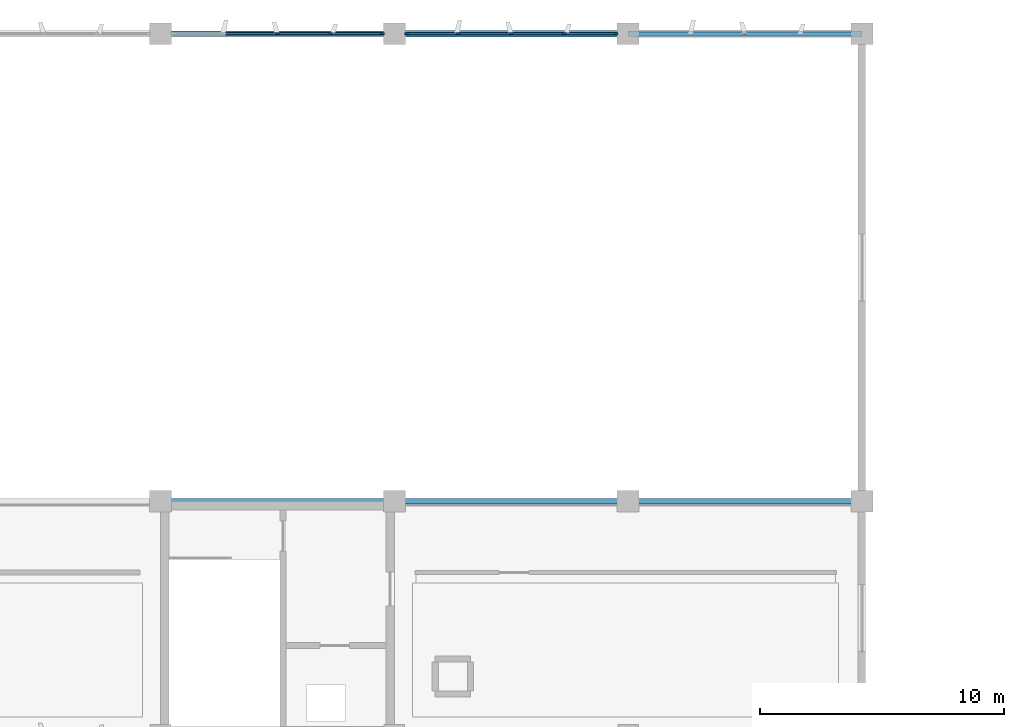
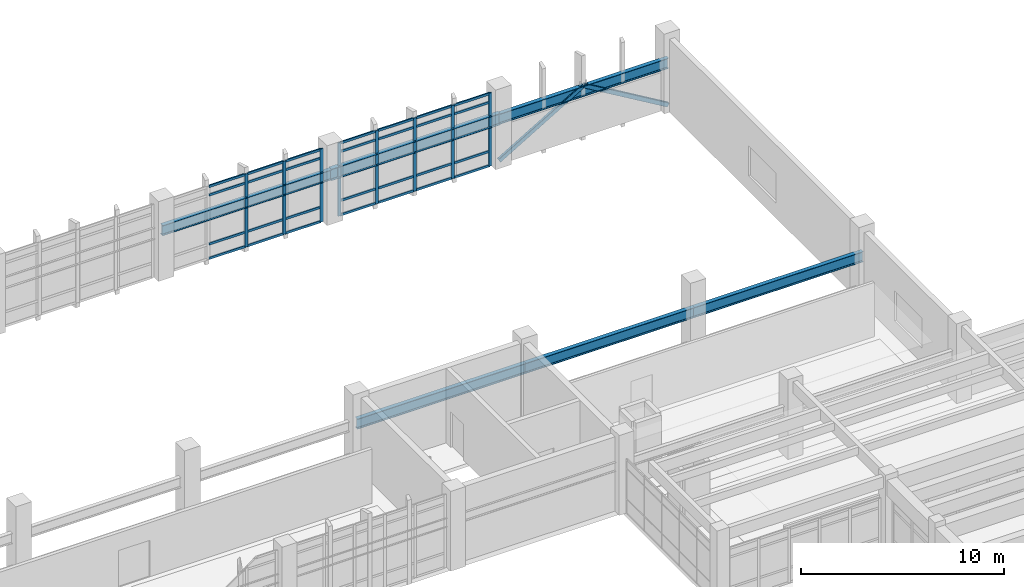
# One storey, part 44 of 86: 38 members, 6 beams, 2 elements without a shape of their own.
"""IFC4 building model written with IfcOpenShell, lengths in metres."""

from ifc_helpers import new_model, si_unit, direction, frame, origin, origin_2d, place, context, subcontext, project, spatial, rectangle, hollow_rectangle, i_section, extrude, material, layer, layer_set, material_profile, profile_set, type_object, element, aggregate, save


model = new_model("IFC4")

# Units and contexts
model_context = context("Model", 3, precision=1e-05, world=origin(), true_north=direction((0.0, 1.0)))
body_context = subcontext(model_context, "Body", "Model", "MODEL_VIEW")
ifc_project = project(units=[si_unit("LENGTHUNIT", "METRE"), si_unit("AREAUNIT", "SQUARE_METRE"), si_unit("VOLUMEUNIT", "CUBIC_METRE"), si_unit("PLANEANGLEUNIT", "RADIAN"), si_unit("MASSUNIT", "GRAM", prefix="KILO")], contexts=[model_context])

# Site, building, storey
site_placement = place(None, origin())
site = spatial("IfcSite", under=ifc_project, at=site_placement, CompositionType="ELEMENT")
building_placement = place(site_placement, origin())
building = spatial("IfcBuilding", under=site, at=building_placement, Name="Kolvemor Railside Polytechnic", CompositionType="ELEMENT")
storey_placement = place(building_placement, frame((0.0, 0.0, 5.39990234375)))
storey = spatial("IfcBuildingStorey", under=building, at=storey_placement, Name="L01", CompositionType="ELEMENT", Elevation=5.39990234375)

# Beams
ifc_material_1 = material(Name="Steel S355", Category="steel")
ifc_material_profile_1 = material_profile(ifc_material_1, i_section(OverallWidth=0.256103515625, OverallDepth=0.693115234375, WebThickness=0.014404296875, FlangeThickness=0.023681640625, FilletRadius=0.01611328125, at=origin_2d()), Name="W690x170")
ifc_profile_set_1 = profile_set([ifc_material_profile_1], Name="Steel S355")
beam_type_1 = type_object("IfcBeamType", Name="BM-ST-CRANE0", PredefinedType="BEAM", material=ifc_profile_set_1)
beam_placement = place(storey_placement, frame((134.39990234375, 120.0, 2.691650390625), z_axis=(1.0, 0.0, 0.0), x_axis=(0.0, 1.0, 0.0)))
element("IfcBeam", 1, at=beam_placement, inside=storey, type_object=beam_type_1, Name="Crane Runway Girder CRG-N13", PredefinedType="BEAM", context=body_context, shape_type="SweptSolid", body=[
    extrude(i_section(OverallWidth=0.256103515625, OverallDepth=0.693115234375, WebThickness=0.014404296875, FlangeThickness=0.023681640625, FilletRadius=0.01611328125, at=origin_2d()), origin(), (0.0, 0.0, 1.0), 9.60009765625),
])
ifc_material_2 = material(Name="Steel S355", Category="steel")
ifc_material_profile_2 = material_profile(ifc_material_2, i_section(OverallWidth=0.22998046875, OverallDepth=0.616943359375, WebThickness=0.01318359375, FlangeThickness=0.022216796875, FilletRadius=0.01611328125, at=origin_2d()), Name="W610x140")
ifc_profile_set_2 = profile_set([ifc_material_profile_2], Name="Steel S355")
beam_type_2 = type_object("IfcBeamType", Name="BM-ST-CRANE1", PredefinedType="BEAM", material=ifc_profile_set_2)
for number, where, z_axis, x_axis, name in (
    (2, (124.800048828125, 100.800048828125, 2.691650390625), (1.0, 0.0, 0.0), (0.0, 1.0, 0.0), "Crane Runway Girder CRG-S12"),
    (3, (124.800048828125, 120.0, 2.691650390625), (1.0, 0.0, 0.0), (0.0, 1.0, 0.0), "Crane Runway Girder CRG-N12"),
):
    element("IfcBeam", number, at=place(storey_placement, frame(where, z_axis=z_axis, x_axis=x_axis)), inside=storey, type_object=beam_type_2, Name=name, PredefinedType="BEAM", context=body_context, shape_type="SweptSolid", body=[
        extrude(i_section(OverallWidth=0.22998046875, OverallDepth=0.616943359375, WebThickness=0.01318359375, FlangeThickness=0.022216796875, FilletRadius=0.01611328125, at=origin_2d()), origin(), (0.0, 0.0, 1.0), 9.599853515625),
    ])
for number, where, z_axis, x_axis, name in (
    (4, (134.39990234375, 100.800048828125, 2.691650390625), (1.0, 0.0, 0.0), (0.0, 1.0, 0.0), "Crane Runway Girder CRG-S13"),
    (5, (144.0, 100.800048828125, 2.691650390625), (1.0, 0.0, 0.0), (0.0, 1.0, 0.0), "Crane Runway Girder CRG-S14"),
    (6, (144.0, 120.0, 2.691650390625), (1.0, 0.0, 0.0), (0.0, 1.0, 0.0), "Crane Runway Girder CRG-N14"),
):
    element("IfcBeam", number, at=place(storey_placement, frame(where, z_axis=z_axis, x_axis=x_axis)), inside=storey, type_object=beam_type_2, Name=name, PredefinedType="BEAM", context=body_context, shape_type="SweptSolid", body=[
        extrude(i_section(OverallWidth=0.22998046875, OverallDepth=0.616943359375, WebThickness=0.01318359375, FlangeThickness=0.022216796875, FilletRadius=0.01611328125, at=origin_2d()), origin(), (0.0, 0.0, 1.0), 9.60009765625),
    ])

# Curtain wall, members
ifc_material_3 = material(Name="Anodised marine aluminium and laminated low-E glass", Category="aluminium")
ifc_layer = layer(ifc_material_3, 0.179931640625, Name="CW-UNIT-WKS")
ifc_layer_set = layer_set([ifc_layer], Name="Anodised marine aluminium and laminated low-E glass")
curtain_wall_type = type_object("IfcCurtainWallType", Name="CW-UNIT-WKS", PredefinedType="USERDEFINED", material=ifc_layer_set)
curtain_wall_1_placement = place(storey_placement, origin())
curtain_wall_1 = element("IfcCurtainWall", 7, at=curtain_wall_1_placement, inside=storey, type_object=curtain_wall_type, Name="Curtain Wall L01-025", ObjectType="UNITISED CURTAIN WALL", PredefinedType="USERDEFINED")
ifc_material_4 = material(Name="Anodised marine aluminium 6063-T6", Category="aluminium")
ifc_material_profile_3 = material_profile(ifc_material_4, rectangle(XDim=0.074951171875, YDim=0.179931640625, at=origin_2d()), Name="CW-MUL-75x180")
ifc_profile_set_3 = profile_set([ifc_material_profile_3], Name="Anodised marine aluminium 6063-T6")
member_type_1 = type_object("IfcMemberType", Name="CWM-75x180", PredefinedType="MULLION", material=ifc_profile_set_3)
member_1_placement = place(storey_placement, frame((133.892578125, 120.0, 0.0), z_axis=(0.0, 0.0, 1.0), x_axis=(0.0, -1.0, 0.0)))
member_1 = element("IfcMember", 8, at=member_1_placement, type_object=member_type_1, Name="CW-WKS mullion 1", PredefinedType="MULLION", context=body_context, shape_type="SweptSolid", body=[
    extrude(rectangle(XDim=0.074951171875, YDim=0.179931640625, at=origin_2d()), origin(), (0.0, 0.0, 1.0), 4.400146484375),
])
member_2_placement = place(storey_placement, frame((131.764892578125, 120.0, 0.0), z_axis=(0.0, 0.0, 1.0), x_axis=(0.0, -1.0, 0.0)))
member_2 = element("IfcMember", 9, at=member_2_placement, type_object=member_type_1, Name="CW-WKS mullion 2", PredefinedType="MULLION", context=body_context, shape_type="SweptSolid", body=[
    extrude(rectangle(XDim=0.074951171875, YDim=0.179931640625, at=origin_2d()), origin(), (0.0, 0.0, 1.0), 4.400146484375),
])
member_3_placement = place(storey_placement, frame((129.60009765625, 120.0, 0.0), z_axis=(0.0, 0.0, 1.0), x_axis=(0.0, -1.0, 0.0)))
member_3 = element("IfcMember", 10, at=member_3_placement, type_object=member_type_1, Name="CW-WKS mullion 3", PredefinedType="MULLION", context=body_context, shape_type="SweptSolid", body=[
    extrude(rectangle(XDim=0.074951171875, YDim=0.179931640625, at=origin_2d()), origin(), (0.0, 0.0, 1.0), 4.400146484375),
])

curtain_wall_2_placement = place(storey_placement, origin())
curtain_wall_2 = element("IfcCurtainWall", 11, at=curtain_wall_2_placement, inside=storey, type_object=curtain_wall_type, Name="Curtain Wall L01-027", ObjectType="UNITISED CURTAIN WALL", PredefinedType="USERDEFINED")
member_4_placement = place(storey_placement, frame((143.492431640625, 120.0, 0.0), z_axis=(0.0, 0.0, 1.0), x_axis=(0.0, -1.0, 0.0)))
member_4 = element("IfcMember", 12, at=member_4_placement, type_object=member_type_1, Name="CW-WKS mullion 1", PredefinedType="MULLION", context=body_context, shape_type="SweptSolid", body=[
    extrude(rectangle(XDim=0.074951171875, YDim=0.179931640625, at=origin_2d()), origin(), (0.0, 0.0, 1.0), 4.400146484375),
])
member_5_placement = place(storey_placement, frame((141.364990234375, 120.0, 0.0), z_axis=(0.0, 0.0, 1.0), x_axis=(0.0, -1.0, 0.0)))
member_5 = element("IfcMember", 13, at=member_5_placement, type_object=member_type_1, Name="CW-WKS mullion 2", PredefinedType="MULLION", context=body_context, shape_type="SweptSolid", body=[
    extrude(rectangle(XDim=0.074951171875, YDim=0.179931640625, at=origin_2d()), origin(), (0.0, 0.0, 1.0), 4.400146484375),
])
member_6_placement = place(storey_placement, frame((139.199951171875, 120.0, 0.0), z_axis=(0.0, 0.0, 1.0), x_axis=(0.0, -1.0, 0.0)))
member_6 = element("IfcMember", 14, at=member_6_placement, type_object=member_type_1, Name="CW-WKS mullion 3", PredefinedType="MULLION", context=body_context, shape_type="SweptSolid", body=[
    extrude(rectangle(XDim=0.074951171875, YDim=0.179931640625, at=origin_2d()), origin(), (0.0, 0.0, 1.0), 4.400146484375),
])
member_7_placement = place(storey_placement, frame((137.034912109375, 120.0, 0.0), z_axis=(0.0, 0.0, 1.0), x_axis=(0.0, -1.0, 0.0)))
member_7 = element("IfcMember", 15, at=member_7_placement, type_object=member_type_1, Name="CW-WKS mullion 4", PredefinedType="MULLION", context=body_context, shape_type="SweptSolid", body=[
    extrude(rectangle(XDim=0.074951171875, YDim=0.179931640625, at=origin_2d()), origin(), (0.0, 0.0, 1.0), 4.400146484375),
])
member_8_placement = place(storey_placement, frame((134.907470703125, 120.0, 0.0), z_axis=(0.0, 0.0, 1.0), x_axis=(0.0, -1.0, 0.0)))
member_8 = element("IfcMember", 16, at=member_8_placement, type_object=member_type_1, Name="CW-WKS mullion 5", PredefinedType="MULLION", context=body_context, shape_type="SweptSolid", body=[
    extrude(rectangle(XDim=0.074951171875, YDim=0.179931640625, at=origin_2d()), origin(), (0.0, 0.0, 1.0), 4.400146484375),
])

# Member
ifc_material_5 = material(Name="Anodised marine aluminium 6063-T6", Category="aluminium")
ifc_material_profile_4 = material_profile(ifc_material_5, rectangle(XDim=0.074951171875, YDim=0.139892578125, at=origin_2d()), Name="CW-TRN-75x140")
ifc_profile_set_4 = profile_set([ifc_material_profile_4], Name="Anodised marine aluminium 6063-T6")
member_type_2 = type_object("IfcMemberType", Name="CWT-75x140", PredefinedType="USERDEFINED", material=ifc_profile_set_4)
member_9_placement = place(storey_placement, frame((133.85498046875, 120.0, 0.03759765625), z_axis=(-1.0, 0.0, 0.0), x_axis=(0.0, -1.0, 0.0)))
member_9 = element("IfcMember", 17, at=member_9_placement, type_object=member_type_2, Name="CW-WKS transom 1.1", ObjectType="TRANSOM", PredefinedType="USERDEFINED", context=body_context, shape_type="SweptSolid", body=[
    extrude(rectangle(XDim=0.074951171875, YDim=0.139892578125, at=origin_2d()), origin(), (0.0, 0.0, 1.0), 2.052490234375),
])

member_10_placement = place(storey_placement, frame((133.85498046875, 120.0, 0.900146484375), z_axis=(-1.0, 0.0, 0.0), x_axis=(0.0, -1.0, 0.0)))
member_10 = element("IfcMember", 18, at=member_10_placement, type_object=member_type_2, Name="CW-WKS transom 1.2", ObjectType="TRANSOM", PredefinedType="USERDEFINED", context=body_context, shape_type="SweptSolid", body=[
    extrude(rectangle(XDim=0.074951171875, YDim=0.139892578125, at=origin_2d()), origin(), (0.0, 0.0, 1.0), 2.052490234375),
])

member_11_placement = place(storey_placement, frame((133.85498046875, 120.0, 3.85009765625), z_axis=(-1.0, 0.0, 0.0), x_axis=(0.0, -1.0, 0.0)))
member_11 = element("IfcMember", 19, at=member_11_placement, type_object=member_type_2, Name="CW-WKS transom 1.3", ObjectType="TRANSOM", PredefinedType="USERDEFINED", context=body_context, shape_type="SweptSolid", body=[
    extrude(rectangle(XDim=0.074951171875, YDim=0.139892578125, at=origin_2d()), origin(), (0.0, 0.0, 1.0), 2.052490234375),
])

member_12_placement = place(storey_placement, frame((133.85498046875, 120.0, 4.362548828125), z_axis=(-1.0, 0.0, 0.0), x_axis=(0.0, -1.0, 0.0)))
member_12 = element("IfcMember", 20, at=member_12_placement, type_object=member_type_2, Name="CW-WKS transom 1.4", ObjectType="TRANSOM", PredefinedType="USERDEFINED", context=body_context, shape_type="SweptSolid", body=[
    extrude(rectangle(XDim=0.074951171875, YDim=0.139892578125, at=origin_2d()), origin(), (0.0, 0.0, 1.0), 2.052490234375),
])

member_13_placement = place(storey_placement, frame((131.7275390625, 120.0, 0.03759765625), z_axis=(-1.0, 0.0, 0.0), x_axis=(0.0, -1.0, 0.0)))
member_13 = element("IfcMember", 21, at=member_13_placement, type_object=member_type_2, Name="CW-WKS transom 2.1", ObjectType="TRANSOM", PredefinedType="USERDEFINED", context=body_context, shape_type="SweptSolid", body=[
    extrude(rectangle(XDim=0.074951171875, YDim=0.139892578125, at=origin_2d()), origin(), (0.0, 0.0, 1.0), 2.090087890625),
])

member_14_placement = place(storey_placement, frame((131.7275390625, 120.0, 0.900146484375), z_axis=(-1.0, 0.0, 0.0), x_axis=(0.0, -1.0, 0.0)))
member_14 = element("IfcMember", 22, at=member_14_placement, type_object=member_type_2, Name="CW-WKS transom 2.2", ObjectType="TRANSOM", PredefinedType="USERDEFINED", context=body_context, shape_type="SweptSolid", body=[
    extrude(rectangle(XDim=0.074951171875, YDim=0.139892578125, at=origin_2d()), origin(), (0.0, 0.0, 1.0), 2.090087890625),
])

member_15_placement = place(storey_placement, frame((131.7275390625, 120.0, 3.85009765625), z_axis=(-1.0, 0.0, 0.0), x_axis=(0.0, -1.0, 0.0)))
member_15 = element("IfcMember", 23, at=member_15_placement, type_object=member_type_2, Name="CW-WKS transom 2.3", ObjectType="TRANSOM", PredefinedType="USERDEFINED", context=body_context, shape_type="SweptSolid", body=[
    extrude(rectangle(XDim=0.074951171875, YDim=0.139892578125, at=origin_2d()), origin(), (0.0, 0.0, 1.0), 2.090087890625),
])

member_16_placement = place(storey_placement, frame((131.7275390625, 120.0, 4.362548828125), z_axis=(-1.0, 0.0, 0.0), x_axis=(0.0, -1.0, 0.0)))
member_16 = element("IfcMember", 24, at=member_16_placement, type_object=member_type_2, Name="CW-WKS transom 2.4", ObjectType="TRANSOM", PredefinedType="USERDEFINED", context=body_context, shape_type="SweptSolid", body=[
    extrude(rectangle(XDim=0.074951171875, YDim=0.139892578125, at=origin_2d()), origin(), (0.0, 0.0, 1.0), 2.090087890625),
])

member_17_placement = place(storey_placement, frame((129.5625, 120.0, 0.03759765625), z_axis=(-1.0, 0.0, 0.0), x_axis=(0.0, -1.0, 0.0)))
member_17 = element("IfcMember", 25, at=member_17_placement, type_object=member_type_2, Name="CW-WKS transom 3.1", ObjectType="TRANSOM", PredefinedType="USERDEFINED", context=body_context, shape_type="SweptSolid", body=[
    extrude(rectangle(XDim=0.074951171875, YDim=0.139892578125, at=origin_2d()), origin(), (0.0, 0.0, 1.0), 2.090087890625),
])

member_18_placement = place(storey_placement, frame((129.5625, 120.0, 0.900146484375), z_axis=(-1.0, 0.0, 0.0), x_axis=(0.0, -1.0, 0.0)))
member_18 = element("IfcMember", 26, at=member_18_placement, type_object=member_type_2, Name="CW-WKS transom 3.2", ObjectType="TRANSOM", PredefinedType="USERDEFINED", context=body_context, shape_type="SweptSolid", body=[
    extrude(rectangle(XDim=0.074951171875, YDim=0.139892578125, at=origin_2d()), origin(), (0.0, 0.0, 1.0), 2.090087890625),
])

member_19_placement = place(storey_placement, frame((129.5625, 120.0, 3.85009765625), z_axis=(-1.0, 0.0, 0.0), x_axis=(0.0, -1.0, 0.0)))
member_19 = element("IfcMember", 27, at=member_19_placement, type_object=member_type_2, Name="CW-WKS transom 3.3", ObjectType="TRANSOM", PredefinedType="USERDEFINED", context=body_context, shape_type="SweptSolid", body=[
    extrude(rectangle(XDim=0.074951171875, YDim=0.139892578125, at=origin_2d()), origin(), (0.0, 0.0, 1.0), 2.090087890625),
])

member_20_placement = place(storey_placement, frame((129.5625, 120.0, 4.362548828125), z_axis=(-1.0, 0.0, 0.0), x_axis=(0.0, -1.0, 0.0)))
member_20 = element("IfcMember", 28, at=member_20_placement, type_object=member_type_2, Name="CW-WKS transom 3.4", ObjectType="TRANSOM", PredefinedType="USERDEFINED", context=body_context, shape_type="SweptSolid", body=[
    extrude(rectangle(XDim=0.074951171875, YDim=0.139892578125, at=origin_2d()), origin(), (0.0, 0.0, 1.0), 2.090087890625),
])

aggregate(curtain_wall_1, [member_1, member_2, member_3, member_9, member_10, member_11, member_12, member_13, member_14, member_15, member_16, member_17, member_18, member_19, member_20])

member_21_placement = place(storey_placement, frame((143.455078125, 120.0, 0.03759765625), z_axis=(-1.0, 0.0, 0.0), x_axis=(0.0, -1.0, 0.0)))
member_21 = element("IfcMember", 29, at=member_21_placement, type_object=member_type_2, Name="CW-WKS transom 1.1", ObjectType="TRANSOM", PredefinedType="USERDEFINED", context=body_context, shape_type="SweptSolid", body=[
    extrude(rectangle(XDim=0.074951171875, YDim=0.139892578125, at=origin_2d()), origin(), (0.0, 0.0, 1.0), 2.052490234375),
])

member_22_placement = place(storey_placement, frame((143.455078125, 120.0, 0.900146484375), z_axis=(-1.0, 0.0, 0.0), x_axis=(0.0, -1.0, 0.0)))
member_22 = element("IfcMember", 30, at=member_22_placement, type_object=member_type_2, Name="CW-WKS transom 1.2", ObjectType="TRANSOM", PredefinedType="USERDEFINED", context=body_context, shape_type="SweptSolid", body=[
    extrude(rectangle(XDim=0.074951171875, YDim=0.139892578125, at=origin_2d()), origin(), (0.0, 0.0, 1.0), 2.052490234375),
])

member_23_placement = place(storey_placement, frame((143.455078125, 120.0, 3.85009765625), z_axis=(-1.0, 0.0, 0.0), x_axis=(0.0, -1.0, 0.0)))
member_23 = element("IfcMember", 31, at=member_23_placement, type_object=member_type_2, Name="CW-WKS transom 1.3", ObjectType="TRANSOM", PredefinedType="USERDEFINED", context=body_context, shape_type="SweptSolid", body=[
    extrude(rectangle(XDim=0.074951171875, YDim=0.139892578125, at=origin_2d()), origin(), (0.0, 0.0, 1.0), 2.052490234375),
])

member_24_placement = place(storey_placement, frame((143.455078125, 120.0, 4.362548828125), z_axis=(-1.0, 0.0, 0.0), x_axis=(0.0, -1.0, 0.0)))
member_24 = element("IfcMember", 32, at=member_24_placement, type_object=member_type_2, Name="CW-WKS transom 1.4", ObjectType="TRANSOM", PredefinedType="USERDEFINED", context=body_context, shape_type="SweptSolid", body=[
    extrude(rectangle(XDim=0.074951171875, YDim=0.139892578125, at=origin_2d()), origin(), (0.0, 0.0, 1.0), 2.052490234375),
])

member_25_placement = place(storey_placement, frame((141.327392578125, 120.0, 0.03759765625), z_axis=(-1.0, 0.0, 0.0), x_axis=(0.0, -1.0, 0.0)))
member_25 = element("IfcMember", 33, at=member_25_placement, type_object=member_type_2, Name="CW-WKS transom 2.1", ObjectType="TRANSOM", PredefinedType="USERDEFINED", context=body_context, shape_type="SweptSolid", body=[
    extrude(rectangle(XDim=0.074951171875, YDim=0.139892578125, at=origin_2d()), origin(), (0.0, 0.0, 1.0), 2.08984375),
])

member_26_placement = place(storey_placement, frame((141.327392578125, 120.0, 0.900146484375), z_axis=(-1.0, 0.0, 0.0), x_axis=(0.0, -1.0, 0.0)))
member_26 = element("IfcMember", 34, at=member_26_placement, type_object=member_type_2, Name="CW-WKS transom 2.2", ObjectType="TRANSOM", PredefinedType="USERDEFINED", context=body_context, shape_type="SweptSolid", body=[
    extrude(rectangle(XDim=0.074951171875, YDim=0.139892578125, at=origin_2d()), origin(), (0.0, 0.0, 1.0), 2.08984375),
])

member_27_placement = place(storey_placement, frame((141.327392578125, 120.0, 3.85009765625), z_axis=(-1.0, 0.0, 0.0), x_axis=(0.0, -1.0, 0.0)))
member_27 = element("IfcMember", 35, at=member_27_placement, type_object=member_type_2, Name="CW-WKS transom 2.3", ObjectType="TRANSOM", PredefinedType="USERDEFINED", context=body_context, shape_type="SweptSolid", body=[
    extrude(rectangle(XDim=0.074951171875, YDim=0.139892578125, at=origin_2d()), origin(), (0.0, 0.0, 1.0), 2.08984375),
])

member_28_placement = place(storey_placement, frame((141.327392578125, 120.0, 4.362548828125), z_axis=(-1.0, 0.0, 0.0), x_axis=(0.0, -1.0, 0.0)))
member_28 = element("IfcMember", 36, at=member_28_placement, type_object=member_type_2, Name="CW-WKS transom 2.4", ObjectType="TRANSOM", PredefinedType="USERDEFINED", context=body_context, shape_type="SweptSolid", body=[
    extrude(rectangle(XDim=0.074951171875, YDim=0.139892578125, at=origin_2d()), origin(), (0.0, 0.0, 1.0), 2.08984375),
])

member_29_placement = place(storey_placement, frame((139.16259765625, 120.0, 0.03759765625), z_axis=(-1.0, 0.0, 0.0), x_axis=(0.0, -1.0, 0.0)))
member_29 = element("IfcMember", 37, at=member_29_placement, type_object=member_type_2, Name="CW-WKS transom 3.1", ObjectType="TRANSOM", PredefinedType="USERDEFINED", context=body_context, shape_type="SweptSolid", body=[
    extrude(rectangle(XDim=0.074951171875, YDim=0.139892578125, at=origin_2d()), origin(), (0.0, 0.0, 1.0), 2.090087890625),
])

member_30_placement = place(storey_placement, frame((139.16259765625, 120.0, 0.900146484375), z_axis=(-1.0, 0.0, 0.0), x_axis=(0.0, -1.0, 0.0)))
member_30 = element("IfcMember", 38, at=member_30_placement, type_object=member_type_2, Name="CW-WKS transom 3.2", ObjectType="TRANSOM", PredefinedType="USERDEFINED", context=body_context, shape_type="SweptSolid", body=[
    extrude(rectangle(XDim=0.074951171875, YDim=0.139892578125, at=origin_2d()), origin(), (0.0, 0.0, 1.0), 2.090087890625),
])

member_31_placement = place(storey_placement, frame((139.16259765625, 120.0, 3.85009765625), z_axis=(-1.0, 0.0, 0.0), x_axis=(0.0, -1.0, 0.0)))
member_31 = element("IfcMember", 39, at=member_31_placement, type_object=member_type_2, Name="CW-WKS transom 3.3", ObjectType="TRANSOM", PredefinedType="USERDEFINED", context=body_context, shape_type="SweptSolid", body=[
    extrude(rectangle(XDim=0.074951171875, YDim=0.139892578125, at=origin_2d()), origin(), (0.0, 0.0, 1.0), 2.090087890625),
])

member_32_placement = place(storey_placement, frame((139.16259765625, 120.0, 4.362548828125), z_axis=(-1.0, 0.0, 0.0), x_axis=(0.0, -1.0, 0.0)))
member_32 = element("IfcMember", 40, at=member_32_placement, type_object=member_type_2, Name="CW-WKS transom 3.4", ObjectType="TRANSOM", PredefinedType="USERDEFINED", context=body_context, shape_type="SweptSolid", body=[
    extrude(rectangle(XDim=0.074951171875, YDim=0.139892578125, at=origin_2d()), origin(), (0.0, 0.0, 1.0), 2.090087890625),
])

member_33_placement = place(storey_placement, frame((136.99755859375, 120.0, 0.03759765625), z_axis=(-1.0, 0.0, 0.0), x_axis=(0.0, -1.0, 0.0)))
member_33 = element("IfcMember", 41, at=member_33_placement, type_object=member_type_2, Name="CW-WKS transom 4.1", ObjectType="TRANSOM", PredefinedType="USERDEFINED", context=body_context, shape_type="SweptSolid", body=[
    extrude(rectangle(XDim=0.074951171875, YDim=0.139892578125, at=origin_2d()), origin(), (0.0, 0.0, 1.0), 2.052490234375),
])

member_34_placement = place(storey_placement, frame((136.99755859375, 120.0, 0.900146484375), z_axis=(-1.0, 0.0, 0.0), x_axis=(0.0, -1.0, 0.0)))
member_34 = element("IfcMember", 42, at=member_34_placement, type_object=member_type_2, Name="CW-WKS transom 4.2", ObjectType="TRANSOM", PredefinedType="USERDEFINED", context=body_context, shape_type="SweptSolid", body=[
    extrude(rectangle(XDim=0.074951171875, YDim=0.139892578125, at=origin_2d()), origin(), (0.0, 0.0, 1.0), 2.052490234375),
])

member_35_placement = place(storey_placement, frame((136.99755859375, 120.0, 3.85009765625), z_axis=(-1.0, 0.0, 0.0), x_axis=(0.0, -1.0, 0.0)))
member_35 = element("IfcMember", 43, at=member_35_placement, type_object=member_type_2, Name="CW-WKS transom 4.3", ObjectType="TRANSOM", PredefinedType="USERDEFINED", context=body_context, shape_type="SweptSolid", body=[
    extrude(rectangle(XDim=0.074951171875, YDim=0.139892578125, at=origin_2d()), origin(), (0.0, 0.0, 1.0), 2.052490234375),
])

member_36_placement = place(storey_placement, frame((136.99755859375, 120.0, 4.362548828125), z_axis=(-1.0, 0.0, 0.0), x_axis=(0.0, -1.0, 0.0)))
member_36 = element("IfcMember", 44, at=member_36_placement, type_object=member_type_2, Name="CW-WKS transom 4.4", ObjectType="TRANSOM", PredefinedType="USERDEFINED", context=body_context, shape_type="SweptSolid", body=[
    extrude(rectangle(XDim=0.074951171875, YDim=0.139892578125, at=origin_2d()), origin(), (0.0, 0.0, 1.0), 2.052490234375),
])

aggregate(curtain_wall_2, [member_4, member_5, member_6, member_7, member_8, member_21, member_22, member_23, member_24, member_25, member_26, member_27, member_28, member_29, member_30, member_31, member_32, member_33, member_34, member_35, member_36])

# Members
ifc_material_6 = material(Name="Steel S355", Category="steel")
ifc_material_profile_5 = material_profile(ifc_material_6, hollow_rectangle(XDim=0.14990234375, YDim=0.25, WallThickness=0.010009765625, InnerFilletRadius=0.010009765625, OuterFilletRadius=0.02001953125, at=origin_2d()), Name="HSS250x150x10")
ifc_profile_set_5 = profile_set([ifc_material_profile_5], Name="Steel S355")
member_type_3 = type_object("IfcMemberType", Name="MEM-BR-HSS1", PredefinedType="BRACE", material=ifc_profile_set_5)
for number, where, z_axis, x_axis, name in (
    (45, (144.0, 120.0, 0.150146484375), (0.85986854286, 0.0, 0.510515512986), (0.0, 1.0, 0.0), "Wind Chevron Brace BR-04A"),
    (46, (153.60009765625, 120.0, 0.150146484375), (-0.85986854286, 0.0, 0.510515512986), (0.0, -1.0, 0.0), "Wind Chevron Brace BR-04B"),
):
    element("IfcMember", number, at=place(storey_placement, frame(where, z_axis=z_axis, x_axis=x_axis)), inside=storey, type_object=member_type_3, Name=name, PredefinedType="BRACE", context=body_context, shape_type="SweptSolid", body=[
        extrude(hollow_rectangle(XDim=0.14990234375, YDim=0.25, WallThickness=0.010009765625, InnerFilletRadius=0.010009765625, OuterFilletRadius=0.02001953125, at=origin_2d()), origin(), (0.0, 0.0, 1.0), 5.582275390625),
    ])

save(model, "model.ifc")
